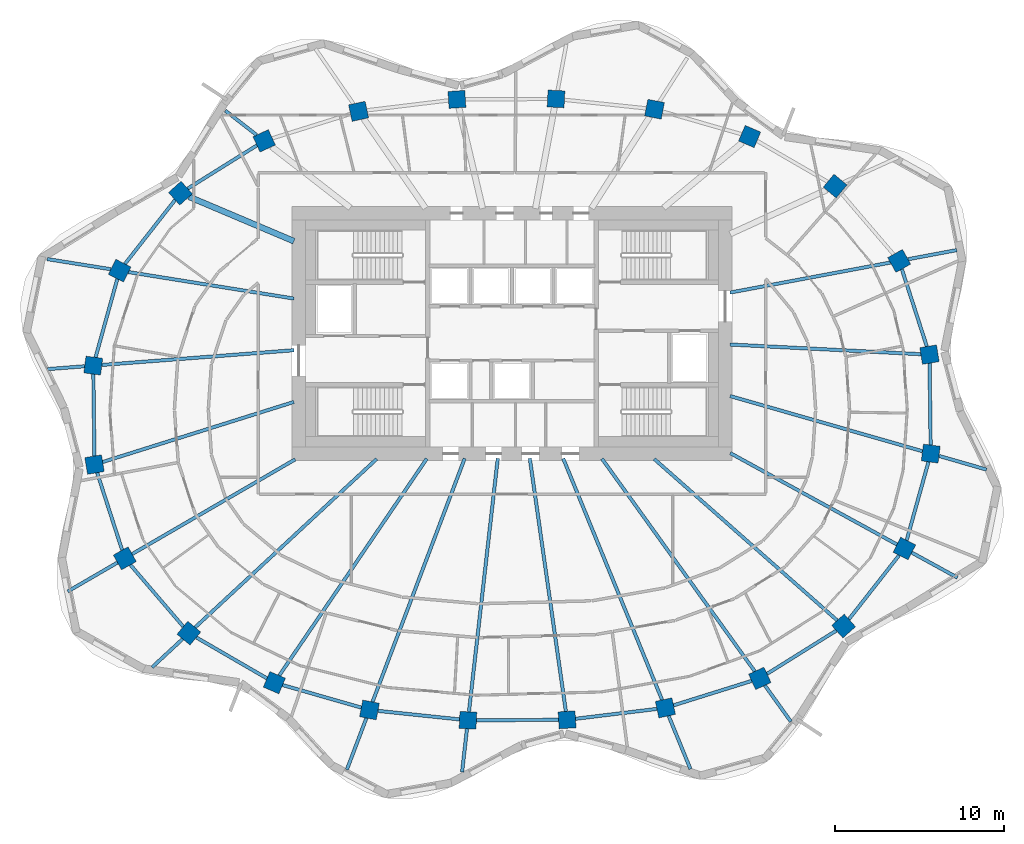
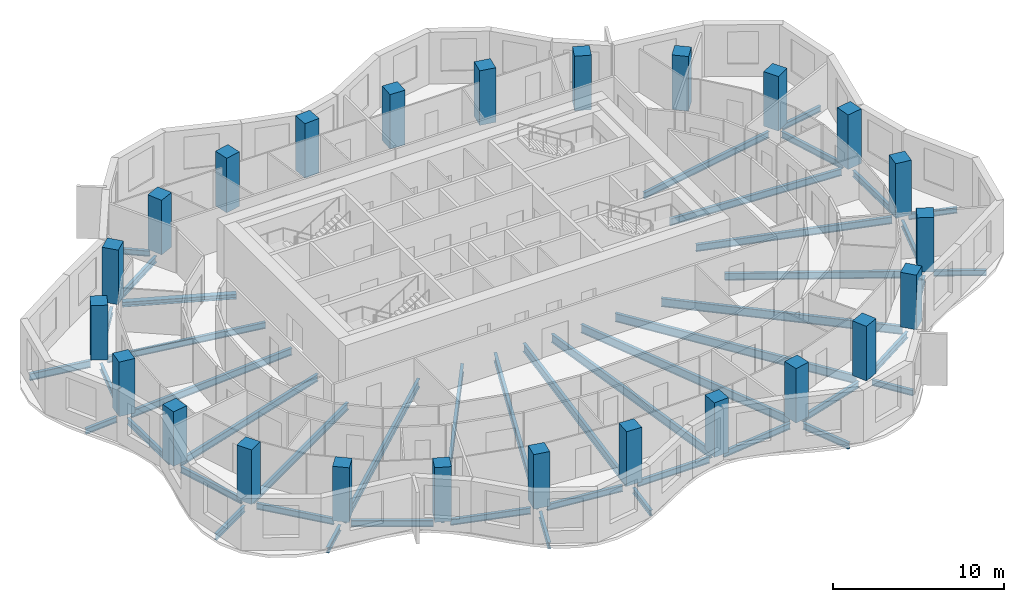
# One storey, part 1 of 11: 46 beams, 24 columns.
"""IFC4 building model written with IfcOpenShell, lengths in metres."""

from ifc_helpers import new_model, si_unit, direction, frame, origin, origin_2d, place, context, subcontext, project, spatial, rectangle, i_section, extrude, material, material_profile, profile_set, type_object, element, save


model = new_model("IFC4")

# Units and contexts
model_context = context("Model", 3, precision=1e-05, world=origin(), true_north=direction((0.0, 1.0)))
body_context = subcontext(model_context, "Body", "Model", "MODEL_VIEW")
ifc_project = project(units=[si_unit("LENGTHUNIT", "METRE"), si_unit("AREAUNIT", "SQUARE_METRE"), si_unit("VOLUMEUNIT", "CUBIC_METRE"), si_unit("PLANEANGLEUNIT", "RADIAN"), si_unit("MASSUNIT", "GRAM", prefix="KILO")], contexts=[model_context])

# Site, building, storey
site_placement = place(None, origin())
site = spatial("IfcSite", under=ifc_project, at=site_placement, CompositionType="ELEMENT")
building_placement = place(site_placement, origin())
building = spatial("IfcBuilding", under=site, at=building_placement, Name="Rubra Terraces Tower", CompositionType="ELEMENT")
storey_placement = place(building_placement, frame((0.0, 0.0, 177.89990234375)))
storey = spatial("IfcBuildingStorey", under=building, at=storey_placement, Name="L43", CompositionType="ELEMENT", Elevation=177.89990234375)

# Columns
ifc_material_1 = material(Name="Concrete C50", Category="concrete")
ifc_material_profile_1 = material_profile(ifc_material_1, rectangle(XDim=1.0, YDim=1.0, at=origin_2d()), Name="RC 1000x1000")
ifc_profile_set_1 = profile_set([ifc_material_profile_1], Name="Concrete C50")
column_type = type_object("IfcColumnType", Name="RING COLUMN RC 1000x1000 C50", PredefinedType="COLUMN", material=ifc_profile_set_1)
for number, where, z_axis, x_axis, name in (
    (1, (24.6689453125, 3.248046875, 0.0), (0.0, 0.0, 1.0), (-0.161559167715, 0.986863027642, 0.0), "column-L43-ring-01"),
    (2, (22.87890625, 8.787109375, 0.0), (0.0, 0.0, 1.0), (-0.48852601316, 0.872549330678, 0.0), "column-L43-ring-02"),
    (3, (19.092041015625, 13.208984375, 0.0), (0.0, 0.0, 1.0), (-0.76886986222, 0.63940529789, 0.0), "column-L43-ring-03"),
    (4, (14.0419921875, 16.135986328125, 0.0), (0.0, 0.0, 1.0), (-0.920167856842, 0.391524092789, 0.0), "column-L43-ring-04"),
    (5, (8.422119140625, 17.7490234375, 0.0), (0.0, 0.0, 1.0), (-0.981654668733, 0.19066754143, 0.0), "column-L43-ring-05"),
    (6, (2.60205078125, 18.35791015625, 0.0), (0.0, 0.0, 1.0), (-0.998764256028, 0.049698700995, 0.0), "column-L43-ring-06"),
    (7, (-3.25390625, 18.330078125, 0.0), (0.0, 0.0, 1.0), (-0.998031548759, -0.062713855578, 0.0), "column-L43-ring-07"),
    (8, (-9.06298828125, 17.625, 0.0), (0.0, 0.0, 1.0), (-0.977652674797, -0.210226657352, 0.0), "column-L43-ring-08"),
    (9, (-14.64306640625, 15.881103515625, 0.0), (0.0, 0.0, 1.0), (-0.908778580451, -0.417278673927, 0.0), "column-L43-ring-09"),
    (10, (-19.593017578125, 12.7900390625, 0.0), (0.0, 0.0, 1.0), (-0.744021317198, -0.668155879683, 0.0), "column-L43-ring-10"),
    (11, (-23.18505859375, 8.2099609375, 0.0), (0.0, 0.0, 1.0), (-0.451027931402, -0.892509834733, 0.0), "column-L43-ring-11"),
    (12, (-24.742919921875, 2.59912109375, 0.0), (0.0, 0.0, 1.0), (-0.128443684554, -0.991716804283, 0.0), "column-L43-ring-12"),
    (13, (-24.6689453125, -3.248046875, 0.0), (0.0, 0.0, 1.0), (0.161559167715, -0.986863027642, 0.0), "column-L43-ring-13"),
    (14, (-22.87890625, -8.787109375, 0.0), (0.0, 0.0, 1.0), (0.48852601316, -0.872549330678, 0.0), "column-L43-ring-14"),
    (15, (-19.092041015625, -13.208984375, 0.0), (0.0, 0.0, 1.0), (0.76886986222, -0.63940529789, 0.0), "column-L43-ring-15"),
    (16, (-14.0419921875, -16.135986328125, 0.0), (0.0, 0.0, 1.0), (0.920167856842, -0.391524092789, 0.0), "column-L43-ring-16"),
    (17, (-8.422119140625, -17.7490234375, 0.0), (0.0, 0.0, 1.0), (0.981654668733, -0.19066754143, 0.0), "column-L43-ring-17"),
    (18, (-2.60205078125, -18.35791015625, 0.0), (0.0, 0.0, 1.0), (0.998764256028, -0.049698700995, 0.0), "column-L43-ring-18"),
    (19, (3.25390625, -18.330078125, 0.0), (0.0, 0.0, 1.0), (0.998031548759, 0.062713855578, 0.0), "column-L43-ring-19"),
    (20, (9.06298828125, -17.625, 0.0), (0.0, 0.0, 1.0), (0.977652674797, 0.210226657352, 0.0), "column-L43-ring-20"),
    (21, (14.64306640625, -15.881103515625, 0.0), (0.0, 0.0, 1.0), (0.908778580451, 0.417278673927, 0.0), "column-L43-ring-21"),
    (22, (19.593017578125, -12.7900390625, 0.0), (0.0, 0.0, 1.0), (0.744021317198, 0.668155879683, 0.0), "column-L43-ring-22"),
    (23, (23.18505859375, -8.2099609375, 0.0), (0.0, 0.0, 1.0), (0.451027931402, 0.892509834733, 0.0), "column-L43-ring-23"),
    (24, (24.742919921875, -2.59912109375, 0.0), (0.0, 0.0, 1.0), (0.128443684554, 0.991716804283, 0.0), "column-L43-ring-24"),
):
    element("IfcColumn", number, at=place(storey_placement, frame(where, z_axis=z_axis, x_axis=x_axis)), inside=storey, type_object=column_type, Name=name, PredefinedType="COLUMN", context=body_context, shape_type="SweptSolid", body=[
        extrude(rectangle(XDim=1.0, YDim=1.0, at=origin_2d()), origin(), (0.0, 0.0, 1.0), 3.900146484375),
    ])

# Beams
ifc_material_2 = material(Name="Steel Q355B", Category="steel")
ifc_material_profile_2 = material_profile(ifc_material_2, i_section(OverallWidth=0.199951171875, OverallDepth=0.39990234375, WebThickness=0.008056640625, FlangeThickness=0.012939453125, at=origin_2d()), Name="HN 400x200x8x13")
ifc_profile_set_2 = profile_set([ifc_material_profile_2], Name="Steel Q355B")
beam_type_1 = type_object("IfcBeamType", Name="CANTILEVER BEAM HN 400x200x8x13", PredefinedType="BEAM", material=ifc_profile_set_2)
beam_1_placement = place(storey_placement, frame((23.39794921875, 8.884033203125, -0.39990234375), z_axis=(0.982856170911, 0.184373933356, 0.0), x_axis=(-0.184373933356, 0.982856170911, 0.0)))
element("IfcBeam", 25, at=beam_1_placement, inside=storey, type_object=beam_type_1, Name="beam-L43-cant-02", PredefinedType="BEAM", context=body_context, shape_type="SweptSolid", body=[
    extrude(i_section(OverallWidth=0.199951171875, OverallDepth=0.39990234375, WebThickness=0.008056640625, FlangeThickness=0.012939453125, at=origin_2d()), origin(), (0.0, 0.0, 1.0), 2.934326171875),
])
beam_2_placement = place(storey_placement, frame((-15.087890625, 16.22705078125, -0.39990234375), z_axis=(-0.789644202525, 0.613565019716, 0.0), x_axis=(-0.613565019716, -0.789644202525, 0.0)))
element("IfcBeam", 26, at=beam_2_placement, inside=storey, type_object=beam_type_1, Name="beam-L43-cant-09", PredefinedType="BEAM", context=body_context, shape_type="SweptSolid", body=[
    extrude(i_section(OverallWidth=0.199951171875, OverallDepth=0.39990234375, WebThickness=0.008056640625, FlangeThickness=0.012939453125, at=origin_2d()), origin(), (0.0, 0.0, 1.0), 2.340576171875),
])
beam_3_placement = place(storey_placement, frame((-25.251953125, 2.56005859375, -0.39990234375), z_axis=(-0.997072655985, -0.076459915552, 0.0), x_axis=(0.076459915552, -0.997072655985, 0.0)))
element("IfcBeam", 27, at=beam_3_placement, inside=storey, type_object=beam_type_1, Name="beam-L43-cant-12", PredefinedType="BEAM", context=body_context, shape_type="SweptSolid", body=[
    extrude(i_section(OverallWidth=0.199951171875, OverallDepth=0.39990234375, WebThickness=0.008056640625, FlangeThickness=0.012939453125, at=origin_2d()), origin(), (0.0, 0.0, 1.0), 2.20947265625),
])
beam_4_placement = place(storey_placement, frame((-19.4619140625, -13.552001953125, -0.39990234375), z_axis=(-0.733131141313, -0.6800872956, 0.0), x_axis=(0.6800872956, -0.733131141313, 0.0)))
element("IfcBeam", 28, at=beam_4_placement, inside=storey, type_object=beam_type_1, Name="beam-L43-cant-15", PredefinedType="BEAM", context=body_context, shape_type="SweptSolid", body=[
    extrude(i_section(OverallWidth=0.199951171875, OverallDepth=0.39990234375, WebThickness=0.008056640625, FlangeThickness=0.012939453125, at=origin_2d()), origin(), (0.0, 0.0, 1.0), 2.4716796875),
])
beam_5_placement = place(storey_placement, frame((-2.658935546875, -18.85595703125, -0.39990234375), z_axis=(-0.11286294962, -0.993610564861, 0.0), x_axis=(0.993610564861, -0.11286294962, 0.0)))
element("IfcBeam", 29, at=beam_5_placement, inside=storey, type_object=beam_type_1, Name="beam-L43-cant-18", PredefinedType="BEAM", context=body_context, shape_type="SweptSolid", body=[
    extrude(i_section(OverallWidth=0.199951171875, OverallDepth=0.39990234375, WebThickness=0.008056640625, FlangeThickness=0.012939453125, at=origin_2d()), origin(), (0.0, 0.0, 1.0), 2.578369140625),
])
beam_6_placement = place(storey_placement, frame((14.93994140625, -16.294921875, -0.39990234375), z_axis=(0.583708638616, -0.811963192026, 0.0), x_axis=(0.811963192026, 0.583708638616, 0.0)))
element("IfcBeam", 30, at=beam_6_placement, inside=storey, type_object=beam_type_1, Name="beam-L43-cant-21", PredefinedType="BEAM", context=body_context, shape_type="SweptSolid", body=[
    extrude(i_section(OverallWidth=0.199951171875, OverallDepth=0.39990234375, WebThickness=0.008056640625, FlangeThickness=0.012939453125, at=origin_2d()), origin(), (0.0, 0.0, 1.0), 2.63330078125),
])
beam_7_placement = place(storey_placement, frame((23.6240234375, -8.449951171875, -0.39990234375), z_axis=(0.876753057926, -0.480940823197, 0.0), x_axis=(0.480940823197, 0.876753057926, 0.0)))
element("IfcBeam", 31, at=beam_7_placement, inside=storey, type_object=beam_type_1, Name="beam-L43-cant-23", PredefinedType="BEAM", context=body_context, shape_type="SweptSolid", body=[
    extrude(i_section(OverallWidth=0.199951171875, OverallDepth=0.39990234375, WebThickness=0.008056640625, FlangeThickness=0.012939453125, at=origin_2d()), origin(), (0.0, 0.0, 1.0), 3.0771484375),
])
beam_8_placement = place(storey_placement, frame((25.22900390625, -2.738037109375, -0.39990234375), z_axis=(0.961186154609, -0.275900663625, 0.0), x_axis=(0.275900663625, 0.961186154609, 0.0)))
element("IfcBeam", 32, at=beam_8_placement, inside=storey, type_object=beam_type_1, Name="beam-L43-cant-24", PredefinedType="BEAM", context=body_context, shape_type="SweptSolid", body=[
    extrude(i_section(OverallWidth=0.199951171875, OverallDepth=0.39990234375, WebThickness=0.008056640625, FlangeThickness=0.012939453125, at=origin_2d()), origin(), (0.0, 0.0, 1.0), 2.924560546875),
])
ifc_material_profile_3 = material_profile(ifc_material_2, i_section(OverallWidth=0.198974609375, OverallDepth=0.446044921875, WebThickness=0.008056640625, FlangeThickness=0.011962890625, at=origin_2d()), Name="HN 446x199x8x12")
ifc_profile_set_3 = profile_set([ifc_material_profile_3], Name="Steel Q355B")
beam_type_2 = type_object("IfcBeamType", Name="CANTILEVER BEAM HN 446x199x8x12", PredefinedType="BEAM", material=ifc_profile_set_3)
beam_9_placement = place(storey_placement, frame((-23.31103515625, -9.0380859375, -0.4228515625), z_axis=(-0.864731547831, -0.50223435783, 0.0), x_axis=(0.50223435783, -0.864731547831, 0.0)))
element("IfcBeam", 33, at=beam_9_placement, inside=storey, type_object=beam_type_2, Name="beam-L43-cant-14", PredefinedType="BEAM", context=body_context, shape_type="SweptSolid", body=[
    extrude(i_section(OverallWidth=0.198974609375, OverallDepth=0.446044921875, WebThickness=0.008056640625, FlangeThickness=0.011962890625, at=origin_2d()), origin(), (0.0, 0.0, 1.0), 3.396484375),
])
beam_10_placement = place(storey_placement, frame((-8.60205078125, -18.222900390625, -0.4228515625), z_axis=(-0.353886787497, -0.935288266597, 0.0), x_axis=(0.935288266597, -0.353886787497, 0.0)))
element("IfcBeam", 34, at=beam_10_placement, inside=storey, type_object=beam_type_2, Name="beam-L43-cant-17", PredefinedType="BEAM", context=body_context, shape_type="SweptSolid", body=[
    extrude(i_section(OverallWidth=0.198974609375, OverallDepth=0.446044921875, WebThickness=0.008056640625, FlangeThickness=0.011962890625, at=origin_2d()), origin(), (0.0, 0.0, 1.0), 3.260986328125),
])
beam_11_placement = place(storey_placement, frame((9.256103515625, -18.094970703125, -0.4228515625), z_axis=(0.378957804719, -0.925413951831, 0.0), x_axis=(0.925413951831, 0.378957804719, 0.0)))
element("IfcBeam", 35, at=beam_11_placement, inside=storey, type_object=beam_type_2, Name="beam-L43-cant-20", PredefinedType="BEAM", context=body_context, shape_type="SweptSolid", body=[
    extrude(i_section(OverallWidth=0.198974609375, OverallDepth=0.446044921875, WebThickness=0.008056640625, FlangeThickness=0.011962890625, at=origin_2d()), origin(), (0.0, 0.0, 1.0), 3.393310546875),
])
ifc_material_profile_4 = material_profile(ifc_material_2, i_section(OverallWidth=0.198974609375, OverallDepth=0.49609375, WebThickness=0.009033203125, FlangeThickness=0.013916015625, at=origin_2d()), Name="HN 496x199x9x14")
ifc_profile_set_4 = profile_set([ifc_material_profile_4], Name="Steel Q355B")
beam_type_3 = type_object("IfcBeamType", Name="CANTILEVER BEAM HN 496x199x9x14", PredefinedType="BEAM", material=ifc_profile_set_4)
beam_12_placement = place(storey_placement, frame((-23.702880859375, 8.29296875, -0.447998046875), z_axis=(-0.98745581053, 0.157895605548, 0.0), x_axis=(-0.157895605548, -0.98745581053, 0.0)))
element("IfcBeam", 36, at=beam_12_placement, inside=storey, type_object=beam_type_3, Name="beam-L43-cant-11", PredefinedType="BEAM", context=body_context, shape_type="SweptSolid", body=[
    extrude(i_section(OverallWidth=0.198974609375, OverallDepth=0.49609375, WebThickness=0.009033203125, FlangeThickness=0.013916015625, at=origin_2d()), origin(), (0.0, 0.0, 1.0), 3.81298828125),
])
ifc_material_profile_5 = material_profile(ifc_material_2, i_section(OverallWidth=0.198974609375, OverallDepth=0.446044921875, WebThickness=0.008056640625, FlangeThickness=0.011962890625, at=origin_2d()), Name="HN 446x199x8x12")
ifc_profile_set_5 = profile_set([ifc_material_profile_5], Name="Steel Q355B")
beam_type_4 = type_object("IfcBeamType", Name="FLOOR BEAM HN 446x199x8x12", PredefinedType="BEAM", material=ifc_profile_set_5)
beam_13_placement = place(storey_placement, frame((22.360107421875, 8.68994140625, -0.4228515625), z_axis=(-0.982895681695, -0.18416318553, 0.0), x_axis=(0.18416318553, -0.982895681695, 0.0)))
element("IfcBeam", 37, at=beam_13_placement, inside=storey, type_object=beam_type_4, Name="beam-L43-floor-02", PredefinedType="BEAM", context=body_context, shape_type="SweptSolid", body=[
    extrude(i_section(OverallWidth=0.198974609375, OverallDepth=0.446044921875, WebThickness=0.008056640625, FlangeThickness=0.011962890625, at=origin_2d()), origin(), (0.0, 0.0, 1.0), 9.64306640625),
])
beam_14_placement = place(storey_placement, frame((-22.6669921875, 8.126953125, -0.4228515625), z_axis=(0.987435404133, -0.158023171289, 0.0), x_axis=(0.158023171289, 0.987435404133, 0.0)))
element("IfcBeam", 38, at=beam_14_placement, inside=storey, type_object=beam_type_4, Name="beam-L43-floor-11", PredefinedType="BEAM", context=body_context, shape_type="SweptSolid", body=[
    extrude(i_section(OverallWidth=0.198974609375, OverallDepth=0.446044921875, WebThickness=0.008056640625, FlangeThickness=0.011962890625, at=origin_2d()), origin(), (0.0, 0.0, 1.0), 9.909423828125),
])
ifc_material_profile_6 = material_profile(ifc_material_2, i_section(OverallWidth=0.198974609375, OverallDepth=0.49609375, WebThickness=0.009033203125, FlangeThickness=0.013916015625, at=origin_2d()), Name="HN 496x199x9x14")
ifc_profile_set_6 = profile_set([ifc_material_profile_6], Name="Steel Q355B")
beam_type_5 = type_object("IfcBeamType", Name="FLOOR BEAM HN 496x199x9x14", PredefinedType="BEAM", material=ifc_profile_set_6)
beam_15_placement = place(storey_placement, frame((24.157958984375, 3.27392578125, -0.447998046875), z_axis=(-0.998716228561, 0.050654662269, 0.0), x_axis=(-0.050654662269, -0.998716228561, 0.0)))
element("IfcBeam", 39, at=beam_15_placement, inside=storey, type_object=beam_type_5, Name="beam-L43-floor-01", PredefinedType="BEAM", context=body_context, shape_type="SweptSolid", body=[
    extrude(i_section(OverallWidth=0.198974609375, OverallDepth=0.49609375, WebThickness=0.009033203125, FlangeThickness=0.013916015625, at=origin_2d()), origin(), (0.0, 0.0, 1.0), 11.29248046875),
])
beam_16_placement = place(storey_placement, frame((-24.23388671875, 2.637939453125, -0.447998046875), z_axis=(0.997063306908, 0.076581734234, 0.0), x_axis=(-0.076581734234, 0.997063306908, 0.0)))
element("IfcBeam", 40, at=beam_16_placement, inside=storey, type_object=beam_type_5, Name="beam-L43-floor-12", PredefinedType="BEAM", context=body_context, shape_type="SweptSolid", body=[
    extrude(i_section(OverallWidth=0.198974609375, OverallDepth=0.49609375, WebThickness=0.009033203125, FlangeThickness=0.013916015625, at=origin_2d()), origin(), (0.0, 0.0, 1.0), 11.387451171875),
])
beam_17_placement = place(storey_placement, frame((-24.18701171875, -3.096923828125, -0.447998046875), z_axis=(0.954040699023, 0.299677067204, 0.0), x_axis=(-0.299677067204, 0.954040699023, 0.0)))
element("IfcBeam", 41, at=beam_17_placement, inside=storey, type_object=beam_type_5, Name="beam-L43-floor-13", PredefinedType="BEAM", context=body_context, shape_type="SweptSolid", body=[
    extrude(i_section(OverallWidth=0.198974609375, OverallDepth=0.49609375, WebThickness=0.009033203125, FlangeThickness=0.013916015625, at=origin_2d()), origin(), (0.0, 0.0, 1.0), 11.845458984375),
])
beam_18_placement = place(storey_placement, frame((-22.447021484375, -8.535888671875, -0.447998046875), z_axis=(0.864755491844, 0.502193129508, 0.0), x_axis=(-0.502193129508, 0.864755491844, 0.0)))
element("IfcBeam", 42, at=beam_18_placement, inside=storey, type_object=beam_type_5, Name="beam-L43-floor-14", PredefinedType="BEAM", context=body_context, shape_type="SweptSolid", body=[
    extrude(i_section(OverallWidth=0.198974609375, OverallDepth=0.49609375, WebThickness=0.009033203125, FlangeThickness=0.013916015625, at=origin_2d()), origin(), (0.0, 0.0, 1.0), 11.14306640625),
])
beam_19_placement = place(storey_placement, frame((22.74609375, -7.969970703125, -0.447998046875), z_axis=(-0.876862055903, 0.480742066932, 0.0), x_axis=(-0.480742066932, -0.876862055903, 0.0)))
element("IfcBeam", 43, at=beam_19_placement, inside=storey, type_object=beam_type_5, Name="beam-L43-floor-23", PredefinedType="BEAM", context=body_context, shape_type="SweptSolid", body=[
    extrude(i_section(OverallWidth=0.198974609375, OverallDepth=0.49609375, WebThickness=0.009033203125, FlangeThickness=0.013916015625, at=origin_2d()), origin(), (0.0, 0.0, 1.0), 11.234375),
])
beam_20_placement = place(storey_placement, frame((24.257080078125, -2.4599609375, -0.447998046875), z_axis=(-0.961215754667, 0.275797521707, 0.0), x_axis=(-0.275797521707, -0.961215754667, 0.0)))
element("IfcBeam", 44, at=beam_20_placement, inside=storey, type_object=beam_type_5, Name="beam-L43-floor-24", PredefinedType="BEAM", context=body_context, shape_type="SweptSolid", body=[
    extrude(i_section(OverallWidth=0.198974609375, OverallDepth=0.49609375, WebThickness=0.009033203125, FlangeThickness=0.013916015625, at=origin_2d()), origin(), (0.0, 0.0, 1.0), 11.830810546875),
])
ifc_material_profile_7 = material_profile(ifc_material_2, i_section(OverallWidth=0.198974609375, OverallDepth=0.595947265625, WebThickness=0.010009765625, FlangeThickness=0.014892578125, at=origin_2d()), Name="HN 596x199x10x15")
ifc_profile_set_7 = profile_set([ifc_material_profile_7], Name="Steel Q355B")
beam_type_6 = type_object("IfcBeamType", Name="FLOOR BEAM HN 596x199x10x15", PredefinedType="BEAM", material=ifc_profile_set_7)
beam_21_placement = place(storey_placement, frame((-18.721923828125, -12.865966796875, -0.497802734375), z_axis=(0.733130458484, 0.680088031687, 0.0), x_axis=(-0.680088031687, 0.733130458484, 0.0)))
element("IfcBeam", 45, at=beam_21_placement, inside=storey, type_object=beam_type_6, Name="beam-L43-floor-15", PredefinedType="BEAM", context=body_context, shape_type="SweptSolid", body=[
    extrude(i_section(OverallWidth=0.198974609375, OverallDepth=0.595947265625, WebThickness=0.010009765625, FlangeThickness=0.014892578125, at=origin_2d()), origin(), (0.0, 0.0, 1.0), 14.62744140625),
])
beam_22_placement = place(storey_placement, frame((-13.7548828125, -15.715087890625, -0.497802734375), z_axis=(0.562545242124, 0.826766503049, 0.0), x_axis=(-0.826766503049, 0.562545242124, 0.0)))
element("IfcBeam", 46, at=beam_22_placement, inside=storey, type_object=beam_type_6, Name="beam-L43-floor-16", PredefinedType="BEAM", context=body_context, shape_type="SweptSolid", body=[
    extrude(i_section(OverallWidth=0.198974609375, OverallDepth=0.595947265625, WebThickness=0.010009765625, FlangeThickness=0.014892578125, at=origin_2d()), origin(), (0.0, 0.0, 1.0), 15.499267578125),
])
beam_23_placement = place(storey_placement, frame((-8.241943359375, -17.27490234375, -0.497802734375), z_axis=(0.353955134415, 0.93526240319, 0.0), x_axis=(-0.93526240319, 0.353955134415, 0.0)))
element("IfcBeam", 47, at=beam_23_placement, inside=storey, type_object=beam_type_6, Name="beam-L43-floor-17", PredefinedType="BEAM", context=body_context, shape_type="SweptSolid", body=[
    extrude(i_section(OverallWidth=0.198974609375, OverallDepth=0.595947265625, WebThickness=0.010009765625, FlangeThickness=0.014892578125, at=origin_2d()), origin(), (0.0, 0.0, 1.0), 15.3828125),
])
beam_24_placement = place(storey_placement, frame((-2.544921875, -17.860107421875, -0.497802734375), z_axis=(0.113084825914, 0.993585337124, 0.0), x_axis=(-0.993585337124, 0.113084825914, 0.0)))
element("IfcBeam", 48, at=beam_24_placement, inside=storey, type_object=beam_type_6, Name="beam-L43-floor-18", PredefinedType="BEAM", context=body_context, shape_type="SweptSolid", body=[
    extrude(i_section(OverallWidth=0.198974609375, OverallDepth=0.595947265625, WebThickness=0.010009765625, FlangeThickness=0.014892578125, at=origin_2d()), origin(), (0.0, 0.0, 1.0), 15.07568359375),
])
beam_25_placement = place(storey_placement, frame((3.18310546875, -17.8330078125, -0.497802734375), z_axis=(-0.141104514479, 0.989994705033, 0.0), x_axis=(-0.989994705033, -0.141104514479, 0.0)))
element("IfcBeam", 49, at=beam_25_placement, inside=storey, type_object=beam_type_6, Name="beam-L43-floor-19", PredefinedType="BEAM", context=body_context, shape_type="SweptSolid", body=[
    extrude(i_section(OverallWidth=0.198974609375, OverallDepth=0.595947265625, WebThickness=0.010009765625, FlangeThickness=0.014892578125, at=origin_2d()), origin(), (0.0, 0.0, 1.0), 15.10302734375),
])
beam_26_placement = place(storey_placement, frame((8.8701171875, -17.155029296875, -0.497802734375), z_axis=(-0.379015131933, 0.925390474214, 0.0), x_axis=(-0.925390474214, -0.379015131933, 0.0)))
element("IfcBeam", 50, at=beam_26_placement, inside=storey, type_object=beam_type_6, Name="beam-L43-floor-20", PredefinedType="BEAM", context=body_context, shape_type="SweptSolid", body=[
    extrude(i_section(OverallWidth=0.198974609375, OverallDepth=0.595947265625, WebThickness=0.010009765625, FlangeThickness=0.014892578125, at=origin_2d()), origin(), (0.0, 0.0, 1.0), 15.416259765625),
])
beam_27_placement = place(storey_placement, frame((14.345947265625, -15.467041015625, -0.497802734375), z_axis=(-0.583528740197, 0.812092488183, 0.0), x_axis=(-0.812092488183, -0.583528740197, 0.0)))
element("IfcBeam", 51, at=beam_27_placement, inside=storey, type_object=beam_type_6, Name="beam-L43-floor-21", PredefinedType="BEAM", context=body_context, shape_type="SweptSolid", body=[
    extrude(i_section(OverallWidth=0.198974609375, OverallDepth=0.595947265625, WebThickness=0.010009765625, FlangeThickness=0.014892578125, at=origin_2d()), origin(), (0.0, 0.0, 1.0), 15.47119140625),
])
beam_28_placement = place(storey_placement, frame((19.216064453125, -12.45703125, -0.497802734375), z_axis=(-0.749823025288, 0.661638444128, 0.0), x_axis=(-0.661638444128, -0.749823025288, 0.0)))
element("IfcBeam", 52, at=beam_28_placement, inside=storey, type_object=beam_type_6, Name="beam-L43-floor-22", PredefinedType="BEAM", context=body_context, shape_type="SweptSolid", body=[
    extrude(i_section(OverallWidth=0.198974609375, OverallDepth=0.595947265625, WebThickness=0.010009765625, FlangeThickness=0.014892578125, at=origin_2d()), origin(), (0.0, 0.0, 1.0), 14.412841796875),
])
ifc_material_profile_8 = material_profile(ifc_material_2, i_section(OverallWidth=0.35009765625, OverallDepth=0.35009765625, WebThickness=0.011962890625, FlangeThickness=0.01904296875, at=origin_2d()), Name="HW 350x350x12x19")
ifc_profile_set_8 = profile_set([ifc_material_profile_8], Name="Steel Q355B")
beam_type_7 = type_object("IfcBeamType", Name="FLOOR BEAM HW 350x350x12x19", PredefinedType="BEAM", material=ifc_profile_set_8)
beam_29_placement = place(storey_placement, frame((-19.083984375, 12.574951171875, -0.375), z_axis=(0.92097476483, -0.38962223056, 0.0), x_axis=(0.38962223056, 0.92097476483, 0.0)))
element("IfcBeam", 53, at=beam_29_placement, inside=storey, type_object=beam_type_7, Name="beam-L43-floor-10", PredefinedType="BEAM", context=body_context, shape_type="SweptSolid", body=[
    extrude(i_section(OverallWidth=0.35009765625, OverallDepth=0.35009765625, WebThickness=0.011962890625, FlangeThickness=0.01904296875, at=origin_2d()), origin(), (0.0, 0.0, 1.0), 6.7265625),
])
ifc_material_profile_9 = material_profile(ifc_material_2, i_section(OverallWidth=0.198974609375, OverallDepth=0.446044921875, WebThickness=0.008056640625, FlangeThickness=0.011962890625, at=origin_2d()), Name="HN 446x199x8x12")
ifc_profile_set_9 = profile_set([ifc_material_profile_9], Name="Steel Q355B")
beam_type_8 = type_object("IfcBeamType", Name="SPANDREL BEAM HN 446x199x8x12", PredefinedType="SPANDREL", material=ifc_profile_set_9)
beam_30_placement = place(storey_placement, frame((24.512939453125, 3.72900390625, -0.4228515625), z_axis=(-0.307359002872, 0.951593633519, 0.0), x_axis=(-0.951593633519, -0.307359002872, 0.0)))
element("IfcBeam", 54, at=beam_30_placement, inside=storey, type_object=beam_type_8, Name="beam-L43-spandrel-01", PredefinedType="SPANDREL", context=body_context, shape_type="SweptSolid", body=[
    extrude(i_section(OverallWidth=0.198974609375, OverallDepth=0.446044921875, WebThickness=0.008056640625, FlangeThickness=0.011962890625, at=origin_2d()), origin(), (0.0, 0.0, 1.0), 4.8056640625),
])
beam_31_placement = place(storey_placement, frame((-15.071044921875, 15.614013671875, -0.4228515625), z_axis=(-0.848183088492, -0.529703170083, 0.0), x_axis=(0.529703170083, -0.848183088492, 0.0)))
element("IfcBeam", 55, at=beam_31_placement, inside=storey, type_object=beam_type_8, Name="beam-L43-spandrel-09", PredefinedType="SPANDREL", context=body_context, shape_type="SweptSolid", body=[
    extrude(i_section(OverallWidth=0.198974609375, OverallDepth=0.446044921875, WebThickness=0.008056640625, FlangeThickness=0.011962890625, at=origin_2d()), origin(), (0.0, 0.0, 1.0), 4.8232421875),
])
beam_32_placement = place(storey_placement, frame((-19.906005859375, 12.39111328125, -0.4228515625), z_axis=(-0.617060338015, -0.786915840004, 0.0), x_axis=(0.786915840004, -0.617060338015, 0.0)))
element("IfcBeam", 56, at=beam_32_placement, inside=storey, type_object=beam_type_8, Name="beam-L43-spandrel-10", PredefinedType="SPANDREL", context=body_context, shape_type="SweptSolid", body=[
    extrude(i_section(OverallWidth=0.198974609375, OverallDepth=0.446044921875, WebThickness=0.008056640625, FlangeThickness=0.011962890625, at=origin_2d()), origin(), (0.0, 0.0, 1.0), 4.8037109375),
])
beam_33_placement = place(storey_placement, frame((-23.321044921875, 7.718994140625, -0.4228515625), z_axis=(-0.267625533012, -0.963523001324, 0.0), x_axis=(0.963523001324, -0.267625533012, 0.0)))
element("IfcBeam", 57, at=beam_33_placement, inside=storey, type_object=beam_type_8, Name="beam-L43-spandrel-11", PredefinedType="SPANDREL", context=body_context, shape_type="SweptSolid", body=[
    extrude(i_section(OverallWidth=0.198974609375, OverallDepth=0.446044921875, WebThickness=0.008056640625, FlangeThickness=0.011962890625, at=origin_2d()), origin(), (0.0, 0.0, 1.0), 4.808349609375),
])
beam_34_placement = place(storey_placement, frame((-24.737060546875, 2.093994140625, -0.4228515625), z_axis=(0.012822047643, -0.999917794168, 0.0), x_axis=(0.999917794168, 0.012822047643, 0.0)))
element("IfcBeam", 58, at=beam_34_placement, inside=storey, type_object=beam_type_8, Name="beam-L43-spandrel-12", PredefinedType="SPANDREL", context=body_context, shape_type="SweptSolid", body=[
    extrude(i_section(OverallWidth=0.198974609375, OverallDepth=0.446044921875, WebThickness=0.008056640625, FlangeThickness=0.011962890625, at=origin_2d()), origin(), (0.0, 0.0, 1.0), 4.83642578125),
])
beam_35_placement = place(storey_placement, frame((-24.512939453125, -3.72900390625, -0.4228515625), z_axis=(0.307359002872, -0.951593633519, 0.0), x_axis=(0.951593633519, 0.307359002872, 0.0)))
element("IfcBeam", 59, at=beam_35_placement, inside=storey, type_object=beam_type_8, Name="beam-L43-spandrel-13", PredefinedType="SPANDREL", context=body_context, shape_type="SweptSolid", body=[
    extrude(i_section(OverallWidth=0.198974609375, OverallDepth=0.446044921875, WebThickness=0.008056640625, FlangeThickness=0.011962890625, at=origin_2d()), origin(), (0.0, 0.0, 1.0), 4.8056640625),
])
beam_36_placement = place(storey_placement, frame((-22.547119140625, -9.174072265625, -0.4228515625), z_axis=(0.650372836218, -0.759615148552, 0.0), x_axis=(0.759615148552, 0.650372836218, 0.0)))
element("IfcBeam", 60, at=beam_36_placement, inside=storey, type_object=beam_type_8, Name="beam-L43-spandrel-14", PredefinedType="SPANDREL", context=body_context, shape_type="SweptSolid", body=[
    extrude(i_section(OverallWidth=0.198974609375, OverallDepth=0.446044921875, WebThickness=0.008056640625, FlangeThickness=0.011962890625, at=origin_2d()), origin(), (0.0, 0.0, 1.0), 4.804931640625),
])
beam_37_placement = place(storey_placement, frame((-18.653076171875, -13.462890625, -0.4228515625), z_axis=(0.865153680787, -0.501506838059, 0.0), x_axis=(0.501506838059, 0.865153680787, 0.0)))
element("IfcBeam", 61, at=beam_37_placement, inside=storey, type_object=beam_type_8, Name="beam-L43-spandrel-15", PredefinedType="SPANDREL", context=body_context, shape_type="SweptSolid", body=[
    extrude(i_section(OverallWidth=0.198974609375, OverallDepth=0.446044921875, WebThickness=0.008056640625, FlangeThickness=0.011962890625, at=origin_2d()), origin(), (0.0, 0.0, 1.0), 4.82568359375),
])
beam_38_placement = place(storey_placement, frame((-13.55810546875, -16.27490234375, -0.4228515625), z_axis=(0.961171164323, -0.275952881621, 0.0), x_axis=(0.275952881621, 0.961171164323, 0.0)))
element("IfcBeam", 62, at=beam_38_placement, inside=storey, type_object=beam_type_8, Name="beam-L43-spandrel-16", PredefinedType="SPANDREL", context=body_context, shape_type="SweptSolid", body=[
    extrude(i_section(OverallWidth=0.198974609375, OverallDepth=0.446044921875, WebThickness=0.008056640625, FlangeThickness=0.011962890625, at=origin_2d()), origin(), (0.0, 0.0, 1.0), 4.842041015625),
])
beam_39_placement = place(storey_placement, frame((-7.923095703125, -17.801025390625, -0.4228515625), z_axis=(0.994565426955, -0.104113454971, 0.0), x_axis=(0.104113454971, 0.994565426955, 0.0)))
element("IfcBeam", 63, at=beam_39_placement, inside=storey, type_object=beam_type_8, Name="beam-L43-spandrel-17", PredefinedType="SPANDREL", context=body_context, shape_type="SweptSolid", body=[
    extrude(i_section(OverallWidth=0.198974609375, OverallDepth=0.446044921875, WebThickness=0.008056640625, FlangeThickness=0.011962890625, at=origin_2d()), origin(), (0.0, 0.0, 1.0), 4.849365234375),
])
beam_40_placement = place(storey_placement, frame((-2.10107421875, -18.35595703125, -0.4228515625), z_axis=(0.999987852299, 0.004929021704, 0.0), x_axis=(-0.004929021704, 0.999987852299, 0.0)))
element("IfcBeam", 64, at=beam_40_placement, inside=storey, type_object=beam_type_8, Name="beam-L43-spandrel-18", PredefinedType="SPANDREL", context=body_context, shape_type="SweptSolid", body=[
    extrude(i_section(OverallWidth=0.198974609375, OverallDepth=0.446044921875, WebThickness=0.008056640625, FlangeThickness=0.011962890625, at=origin_2d()), origin(), (0.0, 0.0, 1.0), 4.85400390625),
])
beam_41_placement = place(storey_placement, frame((3.7509765625, -18.27001953125, -0.4228515625), z_axis=(0.992698018573, 0.120626049929, 0.0), x_axis=(-0.120626049929, 0.992698018573, 0.0)))
element("IfcBeam", 65, at=beam_41_placement, inside=storey, type_object=beam_type_8, Name="beam-L43-spandrel-19", PredefinedType="SPANDREL", context=body_context, shape_type="SweptSolid", body=[
    extrude(i_section(OverallWidth=0.198974609375, OverallDepth=0.446044921875, WebThickness=0.008056640625, FlangeThickness=0.011962890625, at=origin_2d()), origin(), (0.0, 0.0, 1.0), 4.849365234375),
])
beam_42_placement = place(storey_placement, frame((9.5419921875, -17.47509765625, -0.4228515625), z_axis=(0.954462027342, 0.298332429282, 0.0), x_axis=(-0.298332429282, 0.954462027342, 0.0)))
element("IfcBeam", 66, at=beam_42_placement, inside=storey, type_object=beam_type_8, Name="beam-L43-spandrel-20", PredefinedType="SPANDREL", context=body_context, shape_type="SweptSolid", body=[
    extrude(i_section(OverallWidth=0.198974609375, OverallDepth=0.446044921875, WebThickness=0.008056640625, FlangeThickness=0.011962890625, at=origin_2d()), origin(), (0.0, 0.0, 1.0), 4.840576171875),
])
beam_43_placement = place(storey_placement, frame((15.071044921875, -15.614013671875, -0.4228515625), z_axis=(0.848183088492, 0.529703170083, 0.0), x_axis=(-0.529703170083, 0.848183088492, 0.0)))
element("IfcBeam", 67, at=beam_43_placement, inside=storey, type_object=beam_type_8, Name="beam-L43-spandrel-21", PredefinedType="SPANDREL", context=body_context, shape_type="SweptSolid", body=[
    extrude(i_section(OverallWidth=0.198974609375, OverallDepth=0.446044921875, WebThickness=0.008056640625, FlangeThickness=0.011962890625, at=origin_2d()), origin(), (0.0, 0.0, 1.0), 4.8232421875),
])
beam_44_placement = place(storey_placement, frame((19.906005859375, -12.39111328125, -0.4228515625), z_axis=(0.617060338015, 0.786915840004, 0.0), x_axis=(-0.786915840004, 0.617060338015, 0.0)))
element("IfcBeam", 68, at=beam_44_placement, inside=storey, type_object=beam_type_8, Name="beam-L43-spandrel-22", PredefinedType="SPANDREL", context=body_context, shape_type="SweptSolid", body=[
    extrude(i_section(OverallWidth=0.198974609375, OverallDepth=0.446044921875, WebThickness=0.008056640625, FlangeThickness=0.011962890625, at=origin_2d()), origin(), (0.0, 0.0, 1.0), 4.8037109375),
])
beam_45_placement = place(storey_placement, frame((23.321044921875, -7.718994140625, -0.4228515625), z_axis=(0.267625533012, 0.963523001324, 0.0), x_axis=(-0.963523001324, 0.267625533012, 0.0)))
element("IfcBeam", 69, at=beam_45_placement, inside=storey, type_object=beam_type_8, Name="beam-L43-spandrel-23", PredefinedType="SPANDREL", context=body_context, shape_type="SweptSolid", body=[
    extrude(i_section(OverallWidth=0.198974609375, OverallDepth=0.446044921875, WebThickness=0.008056640625, FlangeThickness=0.011962890625, at=origin_2d()), origin(), (0.0, 0.0, 1.0), 4.808349609375),
])
beam_46_placement = place(storey_placement, frame((24.737060546875, -2.093994140625, -0.4228515625), z_axis=(-0.012822047643, 0.999917794168, 0.0), x_axis=(-0.999917794168, -0.012822047643, 0.0)))
element("IfcBeam", 70, at=beam_46_placement, inside=storey, type_object=beam_type_8, Name="beam-L43-spandrel-24", PredefinedType="SPANDREL", context=body_context, shape_type="SweptSolid", body=[
    extrude(i_section(OverallWidth=0.198974609375, OverallDepth=0.446044921875, WebThickness=0.008056640625, FlangeThickness=0.011962890625, at=origin_2d()), origin(), (0.0, 0.0, 1.0), 4.83642578125),
])

save(model, "model.ifc")
